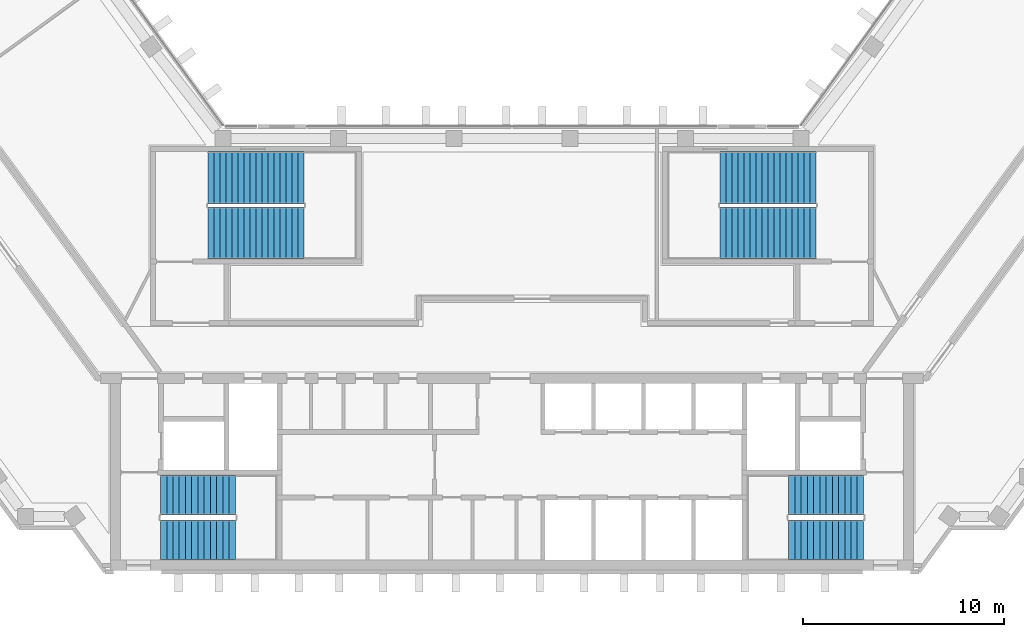
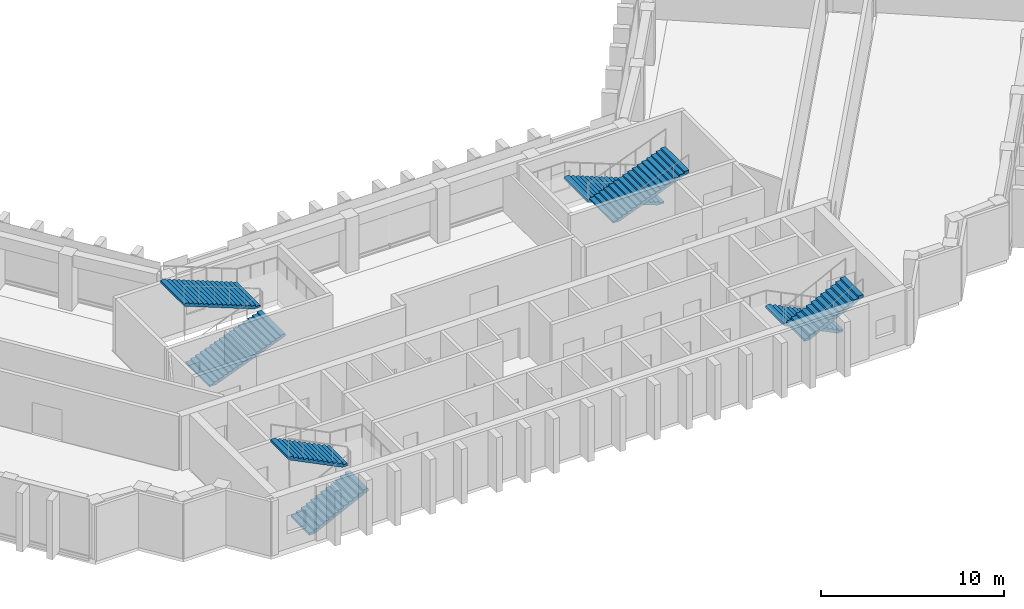
# One storey, part 8 of 10: 8 stair flights, 4 elements without a shape of their own.
"""IFC4 building model written with IfcOpenShell, lengths in metres."""

from ifc_helpers import new_model, si_unit, direction, frame, origin, place, context, subcontext, project, spatial, polyline, outline, extrude, material, type_object, element, aggregate, save


model = new_model("IFC4")

# Units and contexts
model_context = context("Model", 3, precision=1e-05, world=origin(), true_north=direction((0.0, 1.0)))
body_context = subcontext(model_context, "Body", "Model", "MODEL_VIEW")
ifc_project = project(units=[si_unit("LENGTHUNIT", "METRE"), si_unit("AREAUNIT", "SQUARE_METRE"), si_unit("VOLUMEUNIT", "CUBIC_METRE"), si_unit("PLANEANGLEUNIT", "RADIAN"), si_unit("MASSUNIT", "GRAM", prefix="KILO")], contexts=[model_context])

# Site, building, storey
site_placement = place(None, origin())
site = spatial("IfcSite", under=ifc_project, at=site_placement, CompositionType="ELEMENT")
building_placement = place(site_placement, origin())
building = spatial("IfcBuilding", under=site, at=building_placement, Name="Quipu Civic Tower", CompositionType="ELEMENT")
storey_placement = place(building_placement, frame((0.0, 0.0, 180.0)))
storey = spatial("IfcBuildingStorey", under=building, at=storey_placement, Name="L42", CompositionType="ELEMENT", Elevation=180.0)

# Stair, stair flights
ifc_material_1 = material(Name="Concrete C40/50", Category="concrete")
stair_type_1 = type_object("IfcStairType", Name="Half turn stair 2000", PredefinedType="HALF_TURN_STAIR", material=ifc_material_1)
stair_1_placement = place(storey_placement, origin())
stair_1 = element("IfcStair", 1, at=stair_1_placement, inside=storey, type_object=stair_type_1, Name="Exit stair 1", PredefinedType="HALF_TURN_STAIR")
ifc_material_2 = material(Name="Concrete C40/50", Category="concrete")
stair_flight_type_1 = type_object("IfcStairFlightType", Name="Stair flight 2000", PredefinedType="STRAIGHT", material=ifc_material_2)
stair_flight_1_placement = place(storey_placement, frame((-17.5, -9.5, 0.0), z_axis=(0.0, 0.0, 1.0), x_axis=(1.0, 0.0, 0.0)))
stair_flight_1 = element("IfcStairFlight", 2, at=stair_flight_1_placement, type_object=stair_flight_type_1, Name="ST-1 flight 1", NumberOfRisers=13, NumberOfTreads=12, PredefinedType="STRAIGHT", RiserHeight=0.153846154, TreadLength=0.31, context=body_context, shape_type="SweptSolid", body=[
    extrude(outline(polyline([(0.0, 0.0), (0.0, 0.15380859375), (0.31005859375, 0.15380859375), (0.31005859375, 0.3076171875), (0.6201171875, 0.3076171875), (0.6201171875, 0.46142578125), (0.929931640625, 0.46142578125), (0.929931640625, 0.615478515625), (1.239990234375, 0.615478515625), (1.239990234375, 0.769287109375), (1.550048828125, 0.769287109375), (1.550048828125, 0.923095703125), (1.860107421875, 0.923095703125), (1.860107421875, 1.076904296875), (2.169921875, 1.076904296875), (2.169921875, 1.230712890625), (2.47998046875, 1.230712890625), (2.47998046875, 1.384521484375), (2.7900390625, 1.384521484375), (2.7900390625, 1.53857421875), (3.10009765625, 1.53857421875), (3.10009765625, 1.6923828125), (3.409912109375, 1.6923828125), (3.409912109375, 1.84619140625), (3.719970703125, 1.84619140625), (3.719970703125, 2.0), (3.719970703125, 1.6787109375), (0.337158203125, 0.0), (0.0, 0.0)])), frame((0.0, 1.0, 0.0), z_axis=(0.0, -1.0, 0.0), x_axis=(1.0, 0.0, 0.0)), (0.0, 0.0, 1.0), 2.0),
])
stair_flight_2_placement = place(storey_placement, frame((-13.780029296875, -7.25, 2.0), z_axis=(0.0, 0.0, 1.0), x_axis=(-1.0, 0.0, 0.0)))
stair_flight_2 = element("IfcStairFlight", 3, at=stair_flight_2_placement, type_object=stair_flight_type_1, Name="ST-1 flight 2", NumberOfRisers=13, NumberOfTreads=12, PredefinedType="STRAIGHT", RiserHeight=0.153846154, TreadLength=0.31, context=body_context, shape_type="SweptSolid", body=[
    extrude(outline(polyline([(0.0, 0.0), (0.0, 0.15380859375), (0.31005859375, 0.15380859375), (0.31005859375, 0.3076171875), (0.6201171875, 0.3076171875), (0.6201171875, 0.46142578125), (0.929931640625, 0.46142578125), (0.929931640625, 0.615478515625), (1.239990234375, 0.615478515625), (1.239990234375, 0.769287109375), (1.550048828125, 0.769287109375), (1.550048828125, 0.923095703125), (1.860107421875, 0.923095703125), (1.860107421875, 1.076904296875), (2.169921875, 1.076904296875), (2.169921875, 1.230712890625), (2.47998046875, 1.230712890625), (2.47998046875, 1.384521484375), (2.7900390625, 1.384521484375), (2.7900390625, 1.53857421875), (3.10009765625, 1.53857421875), (3.10009765625, 1.6923828125), (3.409912109375, 1.6923828125), (3.409912109375, 1.84619140625), (3.719970703125, 1.84619140625), (3.719970703125, 2.0), (3.719970703125, 1.6787109375), (0.337158203125, 0.0), (0.0, 0.0)])), frame((0.0, 1.0, 0.0), z_axis=(0.0, -1.0, 0.0), x_axis=(1.0, 0.0, 0.0)), (0.0, 0.0, 1.0), 2.0),
])
aggregate(stair_1, [stair_flight_1, stair_flight_2])

stair_2_placement = place(storey_placement, origin())
stair_2 = element("IfcStair", 4, at=stair_2_placement, inside=storey, type_object=stair_type_1, Name="Exit stair 2", PredefinedType="HALF_TURN_STAIR")
stair_flight_3_placement = place(storey_placement, frame((17.5, -7.25, 0.0), z_axis=(0.0, 0.0, 1.0), x_axis=(-1.0, 0.0, 0.0)))
stair_flight_3 = element("IfcStairFlight", 5, at=stair_flight_3_placement, type_object=stair_flight_type_1, Name="ST-2 flight 1", NumberOfRisers=13, NumberOfTreads=12, PredefinedType="STRAIGHT", RiserHeight=0.153846154, TreadLength=0.31, context=body_context, shape_type="SweptSolid", body=[
    extrude(outline(polyline([(0.0, 0.0), (0.0, 0.15380859375), (0.31005859375, 0.15380859375), (0.31005859375, 0.3076171875), (0.6201171875, 0.3076171875), (0.6201171875, 0.46142578125), (0.929931640625, 0.46142578125), (0.929931640625, 0.615478515625), (1.239990234375, 0.615478515625), (1.239990234375, 0.769287109375), (1.550048828125, 0.769287109375), (1.550048828125, 0.923095703125), (1.860107421875, 0.923095703125), (1.860107421875, 1.076904296875), (2.169921875, 1.076904296875), (2.169921875, 1.230712890625), (2.47998046875, 1.230712890625), (2.47998046875, 1.384521484375), (2.7900390625, 1.384521484375), (2.7900390625, 1.53857421875), (3.10009765625, 1.53857421875), (3.10009765625, 1.6923828125), (3.409912109375, 1.6923828125), (3.409912109375, 1.84619140625), (3.719970703125, 1.84619140625), (3.719970703125, 2.0), (3.719970703125, 1.6787109375), (0.337158203125, 0.0), (0.0, 0.0)])), frame((0.0, 1.0, 0.0), z_axis=(0.0, -1.0, 0.0), x_axis=(1.0, 0.0, 0.0)), (0.0, 0.0, 1.0), 2.0),
])
stair_flight_4_placement = place(storey_placement, frame((13.780029296875, -9.5, 2.0), z_axis=(0.0, 0.0, 1.0), x_axis=(1.0, 0.0, 0.0)))
stair_flight_4 = element("IfcStairFlight", 6, at=stair_flight_4_placement, type_object=stair_flight_type_1, Name="ST-2 flight 2", NumberOfRisers=13, NumberOfTreads=12, PredefinedType="STRAIGHT", RiserHeight=0.153846154, TreadLength=0.31, context=body_context, shape_type="SweptSolid", body=[
    extrude(outline(polyline([(0.0, 0.0), (0.0, 0.15380859375), (0.31005859375, 0.15380859375), (0.31005859375, 0.3076171875), (0.6201171875, 0.3076171875), (0.6201171875, 0.46142578125), (0.929931640625, 0.46142578125), (0.929931640625, 0.615478515625), (1.239990234375, 0.615478515625), (1.239990234375, 0.769287109375), (1.550048828125, 0.769287109375), (1.550048828125, 0.923095703125), (1.860107421875, 0.923095703125), (1.860107421875, 1.076904296875), (2.169921875, 1.076904296875), (2.169921875, 1.230712890625), (2.47998046875, 1.230712890625), (2.47998046875, 1.384521484375), (2.7900390625, 1.384521484375), (2.7900390625, 1.53857421875), (3.10009765625, 1.53857421875), (3.10009765625, 1.6923828125), (3.409912109375, 1.6923828125), (3.409912109375, 1.84619140625), (3.719970703125, 1.84619140625), (3.719970703125, 2.0), (3.719970703125, 1.6787109375), (0.337158203125, 0.0), (0.0, 0.0)])), frame((0.0, 1.0, 0.0), z_axis=(0.0, -1.0, 0.0), x_axis=(1.0, 0.0, 0.0)), (0.0, 0.0, 1.0), 2.0),
])
aggregate(stair_2, [stair_flight_3, stair_flight_4])

ifc_material_3 = material(Name="Concrete C40/50", Category="concrete")
stair_type_2 = type_object("IfcStairType", Name="Half turn stair 2600", PredefinedType="HALF_TURN_STAIR", material=ifc_material_3)
stair_3_placement = place(storey_placement, origin())
stair_3 = element("IfcStair", 7, at=stair_3_placement, inside=storey, type_object=stair_type_2, Name="Exit stair 3", PredefinedType="HALF_TURN_STAIR")
ifc_material_4 = material(Name="Concrete C40/50", Category="concrete")
stair_flight_type_2 = type_object("IfcStairFlightType", Name="Stair flight 2600", PredefinedType="STRAIGHT", material=ifc_material_4)
stair_flight_5_placement = place(storey_placement, frame((-15.14990234375, 5.800048828125, 0.0), z_axis=(0.0, 0.0, 1.0), x_axis=(1.0, 0.0, 0.0)))
stair_flight_5 = element("IfcStairFlight", 8, at=stair_flight_5_placement, type_object=stair_flight_type_2, Name="ST-3 flight 1", NumberOfRisers=17, NumberOfTreads=16, PredefinedType="STRAIGHT", RiserHeight=0.117647059, TreadLength=0.3, context=body_context, shape_type="SweptSolid", body=[
    extrude(outline(polyline([(0.0, 0.0), (0.0, 0.11767578125), (0.300048828125, 0.11767578125), (0.300048828125, 0.2353515625), (0.60009765625, 0.2353515625), (0.60009765625, 0.35302734375), (0.89990234375, 0.35302734375), (0.89990234375, 0.470703125), (1.199951171875, 0.470703125), (1.199951171875, 0.588134765625), (1.5, 0.588134765625), (1.5, 0.705810546875), (1.800048828125, 0.705810546875), (1.800048828125, 0.823486328125), (2.10009765625, 0.823486328125), (2.10009765625, 0.941162109375), (2.39990234375, 0.941162109375), (2.39990234375, 1.058837890625), (2.699951171875, 1.058837890625), (2.699951171875, 1.176513671875), (3.0, 1.176513671875), (3.0, 1.294189453125), (3.300048828125, 1.294189453125), (3.300048828125, 1.411865234375), (3.60009765625, 1.411865234375), (3.60009765625, 1.529296875), (3.89990234375, 1.529296875), (3.89990234375, 1.64697265625), (4.199951171875, 1.64697265625), (4.199951171875, 1.7646484375), (4.5, 1.7646484375), (4.5, 1.88232421875), (4.800048828125, 1.88232421875), (4.800048828125, 2.0), (4.800048828125, 1.721435546875), (0.41064453125, 0.0), (0.0, 0.0)])), frame((0.0, 1.300048828125, 0.0), z_axis=(0.0, -1.0, 0.0), x_axis=(1.0, 0.0, 0.0)), (0.0, 0.0, 1.0), 2.60009765625),
])
stair_flight_6_placement = place(storey_placement, frame((-10.35009765625, 8.550048828125, 2.0), z_axis=(0.0, 0.0, 1.0), x_axis=(-1.0, 0.0, 0.0)))
stair_flight_6 = element("IfcStairFlight", 9, at=stair_flight_6_placement, type_object=stair_flight_type_2, Name="ST-3 flight 2", NumberOfRisers=17, NumberOfTreads=16, PredefinedType="STRAIGHT", RiserHeight=0.117647059, TreadLength=0.3, context=body_context, shape_type="SweptSolid", body=[
    extrude(outline(polyline([(0.0, 0.0), (0.0, 0.11767578125), (0.300048828125, 0.11767578125), (0.300048828125, 0.2353515625), (0.60009765625, 0.2353515625), (0.60009765625, 0.35302734375), (0.89990234375, 0.35302734375), (0.89990234375, 0.470703125), (1.199951171875, 0.470703125), (1.199951171875, 0.588134765625), (1.5, 0.588134765625), (1.5, 0.705810546875), (1.800048828125, 0.705810546875), (1.800048828125, 0.823486328125), (2.10009765625, 0.823486328125), (2.10009765625, 0.941162109375), (2.39990234375, 0.941162109375), (2.39990234375, 1.058837890625), (2.699951171875, 1.058837890625), (2.699951171875, 1.176513671875), (3.0, 1.176513671875), (3.0, 1.294189453125), (3.300048828125, 1.294189453125), (3.300048828125, 1.411865234375), (3.60009765625, 1.411865234375), (3.60009765625, 1.529296875), (3.89990234375, 1.529296875), (3.89990234375, 1.64697265625), (4.199951171875, 1.64697265625), (4.199951171875, 1.7646484375), (4.5, 1.7646484375), (4.5, 1.88232421875), (4.800048828125, 1.88232421875), (4.800048828125, 2.0), (4.800048828125, 1.721435546875), (0.41064453125, 0.0), (0.0, 0.0)])), frame((0.0, 1.300048828125, 0.0), z_axis=(0.0, -1.0, 0.0), x_axis=(1.0, 0.0, 0.0)), (0.0, 0.0, 1.0), 2.60009765625),
])
aggregate(stair_3, [stair_flight_5, stair_flight_6])

stair_4_placement = place(storey_placement, origin())
stair_4 = element("IfcStair", 10, at=stair_4_placement, inside=storey, type_object=stair_type_2, Name="Exit stair 4", PredefinedType="HALF_TURN_STAIR")
stair_flight_7_placement = place(storey_placement, frame((15.14990234375, 8.550048828125, 0.0), z_axis=(0.0, 0.0, 1.0), x_axis=(-1.0, 0.0, 0.0)))
stair_flight_7 = element("IfcStairFlight", 11, at=stair_flight_7_placement, type_object=stair_flight_type_2, Name="ST-4 flight 1", NumberOfRisers=17, NumberOfTreads=16, PredefinedType="STRAIGHT", RiserHeight=0.117647059, TreadLength=0.3, context=body_context, shape_type="SweptSolid", body=[
    extrude(outline(polyline([(0.0, 0.0), (0.0, 0.11767578125), (0.300048828125, 0.11767578125), (0.300048828125, 0.2353515625), (0.60009765625, 0.2353515625), (0.60009765625, 0.35302734375), (0.89990234375, 0.35302734375), (0.89990234375, 0.470703125), (1.199951171875, 0.470703125), (1.199951171875, 0.588134765625), (1.5, 0.588134765625), (1.5, 0.705810546875), (1.800048828125, 0.705810546875), (1.800048828125, 0.823486328125), (2.10009765625, 0.823486328125), (2.10009765625, 0.941162109375), (2.39990234375, 0.941162109375), (2.39990234375, 1.058837890625), (2.699951171875, 1.058837890625), (2.699951171875, 1.176513671875), (3.0, 1.176513671875), (3.0, 1.294189453125), (3.300048828125, 1.294189453125), (3.300048828125, 1.411865234375), (3.60009765625, 1.411865234375), (3.60009765625, 1.529296875), (3.89990234375, 1.529296875), (3.89990234375, 1.64697265625), (4.199951171875, 1.64697265625), (4.199951171875, 1.7646484375), (4.5, 1.7646484375), (4.5, 1.88232421875), (4.800048828125, 1.88232421875), (4.800048828125, 2.0), (4.800048828125, 1.721435546875), (0.41064453125, 0.0), (0.0, 0.0)])), frame((0.0, 1.300048828125, 0.0), z_axis=(0.0, -1.0, 0.0), x_axis=(1.0, 0.0, 0.0)), (0.0, 0.0, 1.0), 2.60009765625),
])
stair_flight_8_placement = place(storey_placement, frame((10.35009765625, 5.800048828125, 2.0), z_axis=(0.0, 0.0, 1.0), x_axis=(1.0, 0.0, 0.0)))
stair_flight_8 = element("IfcStairFlight", 12, at=stair_flight_8_placement, type_object=stair_flight_type_2, Name="ST-4 flight 2", NumberOfRisers=17, NumberOfTreads=16, PredefinedType="STRAIGHT", RiserHeight=0.117647059, TreadLength=0.3, context=body_context, shape_type="SweptSolid", body=[
    extrude(outline(polyline([(0.0, 0.0), (0.0, 0.11767578125), (0.300048828125, 0.11767578125), (0.300048828125, 0.2353515625), (0.60009765625, 0.2353515625), (0.60009765625, 0.35302734375), (0.89990234375, 0.35302734375), (0.89990234375, 0.470703125), (1.199951171875, 0.470703125), (1.199951171875, 0.588134765625), (1.5, 0.588134765625), (1.5, 0.705810546875), (1.800048828125, 0.705810546875), (1.800048828125, 0.823486328125), (2.10009765625, 0.823486328125), (2.10009765625, 0.941162109375), (2.39990234375, 0.941162109375), (2.39990234375, 1.058837890625), (2.699951171875, 1.058837890625), (2.699951171875, 1.176513671875), (3.0, 1.176513671875), (3.0, 1.294189453125), (3.300048828125, 1.294189453125), (3.300048828125, 1.411865234375), (3.60009765625, 1.411865234375), (3.60009765625, 1.529296875), (3.89990234375, 1.529296875), (3.89990234375, 1.64697265625), (4.199951171875, 1.64697265625), (4.199951171875, 1.7646484375), (4.5, 1.7646484375), (4.5, 1.88232421875), (4.800048828125, 1.88232421875), (4.800048828125, 2.0), (4.800048828125, 1.721435546875), (0.41064453125, 0.0), (0.0, 0.0)])), frame((0.0, 1.300048828125, 0.0), z_axis=(0.0, -1.0, 0.0), x_axis=(1.0, 0.0, 0.0)), (0.0, 0.0, 1.0), 2.60009765625),
])
aggregate(stair_4, [stair_flight_7, stair_flight_8])

save(model, "model.ifc")
